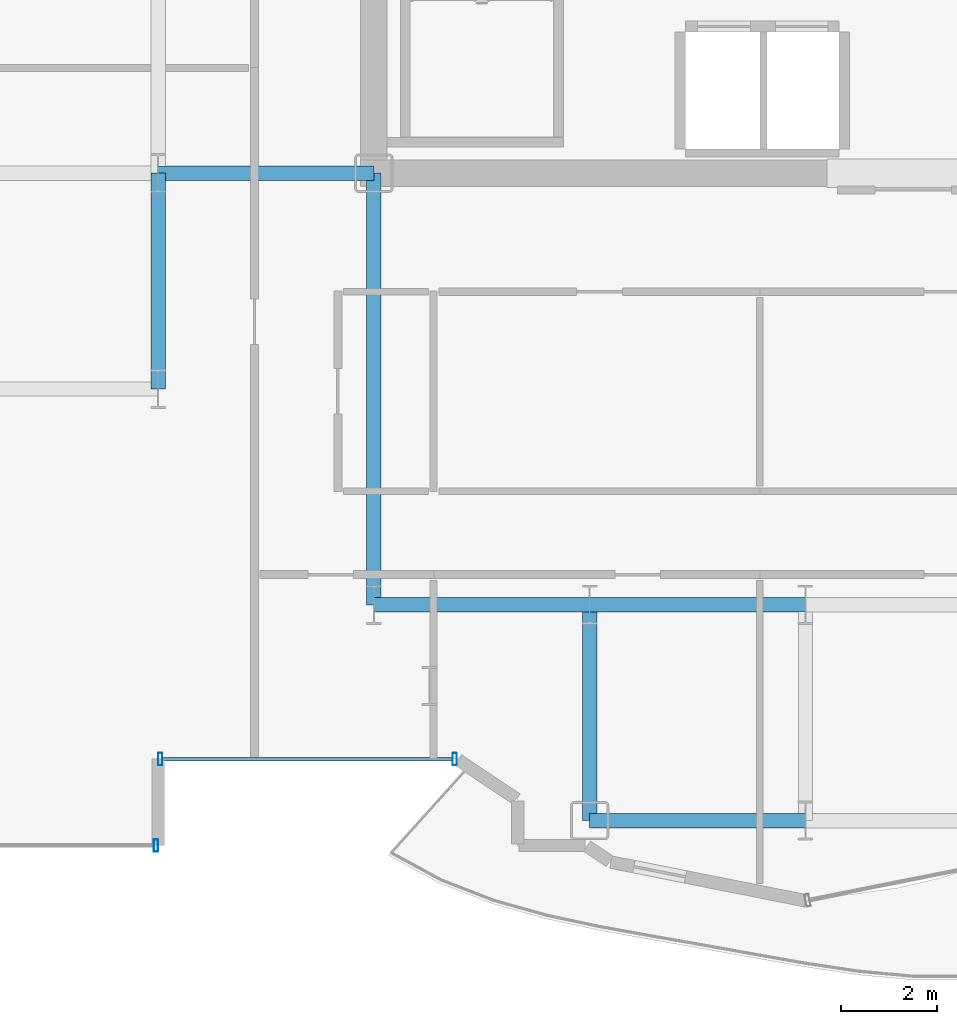
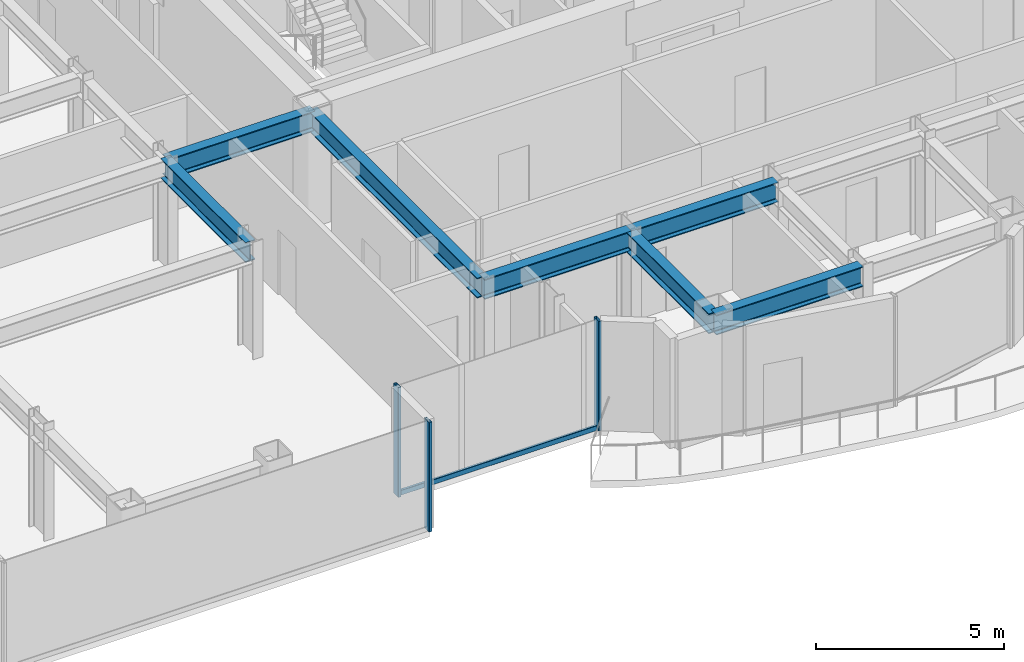
# One storey, part 5 of 25: 7 beams, 4 members, 2 elements without a shape of their own.
"""IFC4 building model written with IfcOpenShell, lengths in metres."""

from ifc_helpers import new_model, si_unit, direction, frame, origin, origin_2d, place, context, subcontext, project, spatial, hollow_rectangle, i_section, extrude, source, transform, mapped, material, layer, layer_set, material_profile, profile_set, type_object, element, aggregate, save


model = new_model("IFC4")

# Units and contexts
model_context = context("Model", 3, precision=1e-05, world=origin(), true_north=direction((0.0, 1.0)))
body_context = subcontext(model_context, "Body", "Model", "MODEL_VIEW")
ifc_project = project(units=[si_unit("LENGTHUNIT", "METRE"), si_unit("AREAUNIT", "SQUARE_METRE"), si_unit("VOLUMEUNIT", "CUBIC_METRE"), si_unit("PLANEANGLEUNIT", "RADIAN"), si_unit("MASSUNIT", "GRAM", prefix="KILO")], contexts=[model_context])

# Site, building, storey
site_placement = place(None, origin())
site = spatial("IfcSite", under=ifc_project, at=site_placement, CompositionType="ELEMENT")
building_placement = place(site_placement, origin())
building = spatial("IfcBuilding", under=site, at=building_placement, Name="Nefas-Gora Pilgrimage Tower", CompositionType="ELEMENT")
storey_placement = place(building_placement, frame((0.0, 0.0, 194.39990234375)))
storey = spatial("IfcBuildingStorey", under=building, at=storey_placement, Name="L48", CompositionType="ELEMENT", Elevation=194.39990234375)

# Beams
ifc_material_1 = material(Name="Steel S355", Category="steel")
ifc_material_profile_1 = material_profile(ifc_material_1, i_section(OverallWidth=0.300048828125, OverallDepth=0.64990234375, WebThickness=0.01611328125, FlangeThickness=0.031005859375, FilletRadius=0.027099609375, at=origin_2d()), Name="HEB 650")
ifc_profile_set_1 = profile_set([ifc_material_profile_1], Name="Steel S355")
beam_type = type_object("IfcBeamType", Name="BM-GIR-HEB650", PredefinedType="BEAM", material=ifc_profile_set_1)
shared_shape_1 = source(origin(), body_context, "Body", "SweptSolid", [
    extrude(i_section(OverallWidth=0.300048828125, OverallDepth=0.64990234375, WebThickness=0.01611328125, FlangeThickness=0.031005859375, FilletRadius=0.027099609375, at=origin_2d()), origin(), (0.0, 0.0, 1.0), 9.0),
])
beam_placement = place(storey_placement, frame((-11.25, -18.0, 3.22509765625), z_axis=(0.0, 1.0, 0.0), x_axis=(-1.0, 0.0, 0.0)))
element("IfcBeam", 1, at=beam_placement, inside=storey, type_object=beam_type, Name="L48 G-03 beam", PredefinedType="BEAM", context=body_context, shape_type="MappedRepresentation", body=[
    mapped(shared_shape_1, transform((0.0, 0.0, 0.0), x_axis=(1.0, 0.0, 0.0), y_axis=(0.0, 1.0, 0.0), z_axis=(0.0, 0.0, 1.0), scale=1.0)),
])
shared_shape_2 = source(origin(), body_context, "Body", "SweptSolid", [
    extrude(i_section(OverallWidth=0.300048828125, OverallDepth=0.64990234375, WebThickness=0.01611328125, FlangeThickness=0.031005859375, FilletRadius=0.027099609375, at=origin_2d()), origin(), (0.0, 0.0, 1.0), 4.5),
])
for number, where, z_axis, x_axis, name in (
    (2, (-15.75, -13.5, 3.22509765625), (0.0, 1.0, 0.0), (-1.0, 0.0, 0.0), "L48 G-03 beam"),
    (3, (-15.75, -9.0, 3.22509765625), (1.0, 0.0, 0.0), (0.0, 1.0, 0.0), "L48 G-03 beam"),
    (4, (-11.25, -18.0, 3.22509765625), (1.0, 0.0, 0.0), (0.0, 1.0, 0.0), "L48 G-03 beam"),
    (5, (-6.75, -22.5, 3.22509765625), (0.0, 1.0, 0.0), (-1.0, 0.0, 0.0), "L48 G-03 beam"),
    (6, (-6.75, -22.5, 3.22509765625), (1.0, 0.0, 0.0), (0.0, 1.0, 0.0), "L48 G-03 beam"),
    (7, (-6.75, -18.0, 3.22509765625), (1.0, 0.0, 0.0), (0.0, 1.0, 0.0), "L48 G-03 beam"),
):
    element("IfcBeam", number, at=place(storey_placement, frame(where, z_axis=z_axis, x_axis=x_axis)), inside=storey, type_object=beam_type, Name=name, PredefinedType="BEAM", context=body_context, shape_type="MappedRepresentation", body=[
        mapped(shared_shape_2, transform((0.0, 0.0, 0.0), x_axis=(1.0, 0.0, 0.0), y_axis=(0.0, 1.0, 0.0), z_axis=(0.0, 0.0, 1.0), scale=1.0)),
    ])

# Curtain wall, members
ifc_material_2 = material(Name="Dark ceramic-fritted solar-control aluminium-glass curtain wall", Category="aluminium")
ifc_layer_1 = layer(ifc_material_2, 0.219970703125)
ifc_layer_set_1 = layer_set([ifc_layer_1], Name="Dark ceramic-fritted solar-control aluminium-glass curtain wall")
curtain_wall_type_1 = type_object("IfcCurtainWallType", Name="CW-SYS-5", PredefinedType="NOTDEFINED", material=ifc_layer_set_1)
curtain_wall_1_placement = place(storey_placement, origin())
curtain_wall_1 = element("IfcCurtainWall", 8, at=curtain_wall_1_placement, inside=storey, type_object=curtain_wall_type_1, Name="L48 Unitised Curtain Wall CW5", PredefinedType="NOTDEFINED")
ifc_material_3 = material(Name="Anodised architectural aluminium", Category="aluminium")
ifc_material_profile_2 = material_profile(ifc_material_3, hollow_rectangle(XDim=0.090087890625, YDim=0.260009765625, WallThickness=0.006103515625, InnerFilletRadius=0.006103515625, OuterFilletRadius=0.011962890625, at=origin_2d()), Name="ALU MULLION 90x260")
ifc_profile_set_2 = profile_set([ifc_material_profile_2], Name="Anodised architectural aluminium")
member_type_1 = type_object("IfcMemberType", Name="CWM-MUL-5", PredefinedType="MULLION", material=ifc_profile_set_2)
shared_shape_3 = source(origin(), body_context, "Body", "SweptSolid", [
    extrude(hollow_rectangle(XDim=0.090087890625, YDim=0.260009765625, WallThickness=0.006103515625, InnerFilletRadius=0.006103515625, OuterFilletRadius=0.011962890625, at=origin_2d()), origin(), (0.0, 0.0, 1.0), 3.550048828125),
])
member_1_placement = place(storey_placement, frame((-15.705078125, -21.219970703125, 0.0), z_axis=(0.0, 0.0, 1.0), x_axis=(1.0, 0.0, 0.0)))
member_1 = element("IfcMember", 9, at=member_1_placement, type_object=member_type_1, Name="CW5 Mullion 1", PredefinedType="MULLION", context=body_context, shape_type="MappedRepresentation", body=[
    mapped(shared_shape_3, transform((0.0, 0.0, 0.0), x_axis=(1.0, 0.0, 0.0), y_axis=(0.0, 1.0, 0.0), z_axis=(0.0, 0.0, 1.0), scale=1.0)),
])
member_2_placement = place(storey_placement, frame((-9.56298828125, -21.219970703125, 0.0), z_axis=(0.0, 0.0, 1.0), x_axis=(1.0, 0.0, 0.0)))
member_2 = element("IfcMember", 10, at=member_2_placement, type_object=member_type_1, Name="CW5 Mullion 2", PredefinedType="MULLION", context=body_context, shape_type="MappedRepresentation", body=[
    mapped(shared_shape_3, transform((0.0, 0.0, 0.0), x_axis=(1.0, 0.0, 0.0), y_axis=(0.0, 1.0, 0.0), z_axis=(0.0, 0.0, 1.0), scale=1.0)),
])
ifc_material_profile_3 = material_profile(ifc_material_3, hollow_rectangle(XDim=0.080078125, YDim=0.159912109375, WallThickness=0.00439453125, InnerFilletRadius=0.00439453125, OuterFilletRadius=0.009033203125, at=origin_2d()), Name="ALU TRANSOM 80x160")
ifc_profile_set_3 = profile_set([ifc_material_profile_3], Name="Anodised architectural aluminium")
member_type_2 = type_object("IfcMemberType", Name="CWM-TRN-5", PredefinedType="USERDEFINED", material=ifc_profile_set_3)
shared_shape_4 = source(origin(), body_context, "Body", "SweptSolid", [
    extrude(hollow_rectangle(XDim=0.080078125, YDim=0.159912109375, WallThickness=0.00439453125, InnerFilletRadius=0.00439453125, OuterFilletRadius=0.009033203125, at=origin_2d()), origin(), (0.0, 0.0, 1.0), 6.052001953125),
])
member_3_placement = place(storey_placement, frame((-15.659912109375, -21.219970703125, 0.050048828125), z_axis=(1.0, 0.0, 0.0), x_axis=(0.0, 1.0, 0.0)))
member_3 = element("IfcMember", 11, at=member_3_placement, type_object=member_type_2, Name="CW5 Spandrel Transom", ObjectType="TRANSOM", PredefinedType="USERDEFINED", context=body_context, shape_type="MappedRepresentation", body=[
    mapped(shared_shape_4, transform((0.0, 0.0, 0.0), x_axis=(1.0, 0.0, 0.0), y_axis=(0.0, 1.0, 0.0), z_axis=(0.0, 0.0, 1.0), scale=1.0)),
])
aggregate(curtain_wall_1, [member_1, member_2, member_3])

# Curtain wall, member
ifc_layer_2 = layer(ifc_material_2, 0.219970703125)
ifc_layer_set_2 = layer_set([ifc_layer_2], Name="Dark ceramic-fritted solar-control aluminium-glass curtain wall")
curtain_wall_type_2 = type_object("IfcCurtainWallType", Name="CW-SYS-3", PredefinedType="NOTDEFINED", material=ifc_layer_set_2)
curtain_wall_2_placement = place(storey_placement, origin())
curtain_wall_2 = element("IfcCurtainWall", 12, at=curtain_wall_2_placement, inside=storey, type_object=curtain_wall_type_2, Name="L48 Unitised Curtain Wall CW3", PredefinedType="NOTDEFINED")
ifc_material_profile_4 = material_profile(ifc_material_3, hollow_rectangle(XDim=0.090087890625, YDim=0.260009765625, WallThickness=0.006103515625, InnerFilletRadius=0.006103515625, OuterFilletRadius=0.011962890625, at=origin_2d()), Name="ALU MULLION 90x260")
ifc_profile_set_4 = profile_set([ifc_material_profile_4], Name="Anodised architectural aluminium")
member_type_3 = type_object("IfcMemberType", Name="CWM-MUL-3", PredefinedType="MULLION", material=ifc_profile_set_4)
shared_shape_5 = source(origin(), body_context, "Body", "SweptSolid", [
    extrude(hollow_rectangle(XDim=0.090087890625, YDim=0.260009765625, WallThickness=0.006103515625, InnerFilletRadius=0.006103515625, OuterFilletRadius=0.011962890625, at=origin_2d()), origin(), (0.0, 0.0, 1.0), 3.550048828125),
])
member_4_placement = place(storey_placement, frame((-15.794921875, -23.02001953125, 0.0), z_axis=(0.0, 0.0, 1.0), x_axis=(1.0, 0.0, 0.0)))
member_4 = element("IfcMember", 13, at=member_4_placement, type_object=member_type_3, Name="CW3 Mullion 2", PredefinedType="MULLION", context=body_context, shape_type="MappedRepresentation", body=[
    mapped(shared_shape_5, transform((0.0, 0.0, 0.0), x_axis=(1.0, 0.0, 0.0), y_axis=(0.0, 1.0, 0.0), z_axis=(0.0, 0.0, 1.0), scale=1.0)),
])
aggregate(curtain_wall_2, [member_4])

save(model, "model.ifc")
